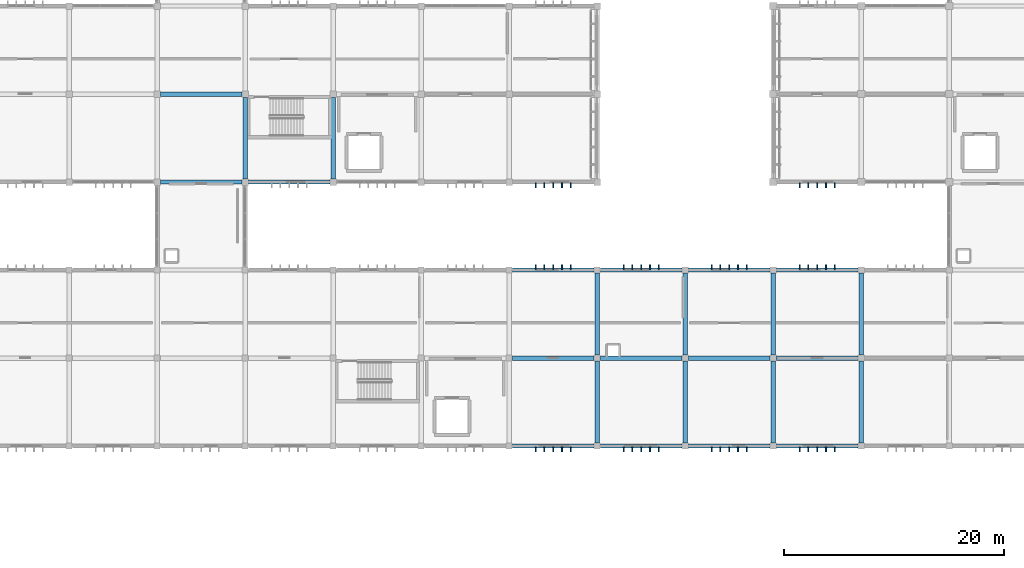
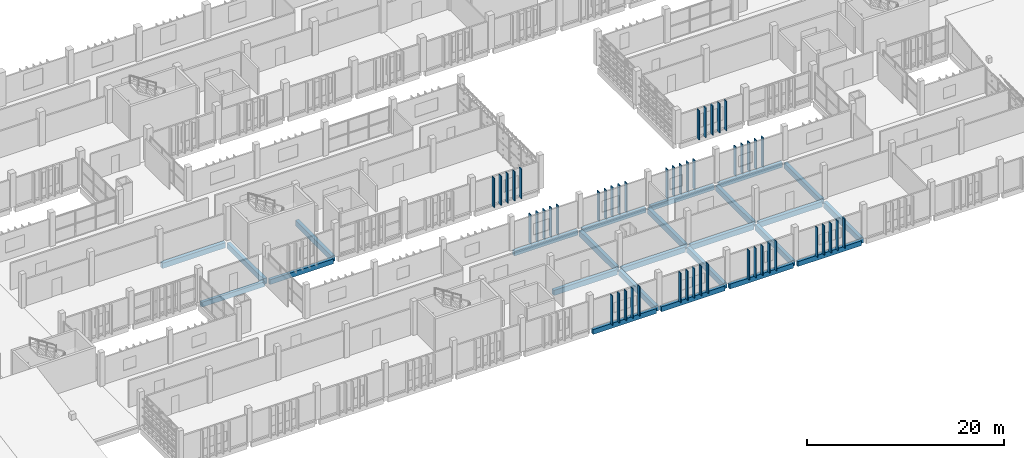
# One storey, part 26 of 83: 50 members, 25 beams.
"""IFC4 building model written with IfcOpenShell, lengths in metres."""

import ifcopenshell
import ifcopenshell.guid

model = None  # the IFC model being written
_history = None  # IfcOwnerHistory: only IFC2X3 demands one
_inside = {}  # id of a spatial element -> (the spatial element, [elements in it])
_under = {}  # id of a project, library or spatial element -> (it, [spatial elements below it])
_declared = {}  # id of a project -> (the project, [libraries it declares])
_typed = {}  # id of a type object -> (the type object, [elements of that type])
_made_of = {}  # id of a material, layer set ... -> (it, [elements and type objects made of it])


def new_model(schema):
    """Start an empty IFC model of exactly this schema.

    Asked for "IFC4X3", IfcOpenShell would pick the latest addendum, in which some entities
    have other attributes; the version numbers below select the first issue.
    IFC2X3 requires an IfcOwnerHistory on every rooted entity: one is made here for all.
    """
    global model, _history
    if schema == "IFC4X3":
        model = ifcopenshell.file(schema_version=(4, 3, 0, 0))
    else:
        model = ifcopenshell.file(schema=schema)
    _inside.clear()
    _under.clear()
    _declared.clear()
    _typed.clear()
    _made_of.clear()
    _history = None
    if model.schema == "IFC2X3":
        org = make("IfcOrganization", Name="unknown")
        user = make(
            "IfcPersonAndOrganization",
            ThePerson=make("IfcPerson", FamilyName="unknown"),
            TheOrganization=org,
        )
        app = make(
            "IfcApplication",
            ApplicationDeveloper=org,
            Version="unknown",
            ApplicationFullName="unknown",
            ApplicationIdentifier="unknown",
        )
        _history = make(
            "IfcOwnerHistory",
            OwningUser=user,
            OwningApplication=app,
            ChangeAction="ADDED",
            CreationDate=0,
        )
    return model


def make(cls, **values):
    """One entity of the class cls with the attributes given. An attribute that is None is left unset."""
    return model.create_entity(
        cls, **{name: value for name, value in values.items() if value is not None}
    )


def rooted(cls, **values):
    """An entity with a GlobalId (a new one), such as an element, a storey or a relation."""
    return make(cls, GlobalId=ifcopenshell.guid.new(), OwnerHistory=_history, **values)


def si_unit(unit_type, name, prefix=None):
    """IfcSIUnit, for example si_unit("LENGTHUNIT", "METRE", prefix="MILLI")."""
    return make("IfcSIUnit", UnitType=unit_type, Prefix=prefix, Name=name)


def assignment(units):
    """IfcUnitAssignment: the units of a project."""
    return None if units is None else make("IfcUnitAssignment", Units=units)


def point(xyz):
    """IfcCartesianPoint."""
    return None if xyz is None else make("IfcCartesianPoint", Coordinates=xyz)


def direction(xyz):
    """IfcDirection."""
    return None if xyz is None else make("IfcDirection", DirectionRatios=xyz)


def frame(location, z_axis=None, x_axis=None):
    """IfcAxis2Placement3D, a coordinate frame: its origin and axes. An axis left out is left unset."""
    return make(
        "IfcAxis2Placement3D",
        Location=point(location),
        Axis=direction(z_axis),
        RefDirection=direction(x_axis),
    )


def frame_2d(location, x_axis=None):
    """IfcAxis2Placement2D, a coordinate frame in the plane: its origin and x axis."""
    return make(
        "IfcAxis2Placement2D", Location=point(location), RefDirection=direction(x_axis)
    )


def origin():
    """The frame at (0, 0, 0) with its axes left unset."""
    return frame((0.0, 0.0, 0.0))


def origin_2d():
    """The frame at (0, 0) in the plane with its x axis left unset."""
    return frame_2d((0.0, 0.0))


def place(relative_to, where):
    """IfcLocalPlacement: puts the frame where relative to a parent placement (None: the world)."""
    return make(
        "IfcLocalPlacement", PlacementRelTo=relative_to, RelativePlacement=where
    )


def context(
    kind, dimensions, precision=None, world=None, true_north=None, identifier=None
):
    """IfcGeometricRepresentationContext, for example the 3D "Model" context."""
    return make(
        "IfcGeometricRepresentationContext",
        ContextIdentifier=identifier,
        ContextType=kind,
        CoordinateSpaceDimension=dimensions,
        Precision=precision,
        WorldCoordinateSystem=world,
        TrueNorth=true_north,
    )


def subcontext(parent, identifier, kind, view, scale=None):
    """IfcGeometricRepresentationSubContext, for example "Body" below "Model"."""
    return make(
        "IfcGeometricRepresentationSubContext",
        ContextIdentifier=identifier,
        ContextType=kind,
        ParentContext=parent,
        TargetScale=scale,
        TargetView=view,
    )


def project(units=None, contexts=None):
    """IfcProject with its units and contexts."""
    return rooted(
        "IfcProject",
        Name="project",
        RepresentationContexts=contexts,
        UnitsInContext=assignment(units),
    )


def spatial(cls, under=None, at=None, **own):
    """A site, building, storey or space (cls), placed at a placement, below another one or the project."""
    s = rooted(cls, ObjectPlacement=at, **own)
    if under is not None:
        _under.setdefault(under.id(), (under, []))[1].append(s)
    return s


def profile(cls, at=None, kind="AREA", **sizes):
    """A parametric profile (cls). Its sizes go by their IFC names, for example OverallWidth=200.0."""
    return make(cls, ProfileType=kind, Position=at, **sizes)


def rectangle(**sizes):
    """IfcRectangleProfileDef."""
    return profile("IfcRectangleProfileDef", **sizes)


def extrude(swept, where, along, depth):
    """IfcExtrudedAreaSolid: the profile swept, set in the frame where, extruded along a direction by depth."""
    return make(
        "IfcExtrudedAreaSolid",
        SweptArea=swept,
        Position=where,
        ExtrudedDirection=direction(along),
        Depth=depth,
    )


def shape(context_of_items, identifier, shape_type, items):
    """IfcShapeRepresentation: the items that make up one representation, for example the "Body"."""
    return make(
        "IfcShapeRepresentation",
        ContextOfItems=context_of_items,
        RepresentationIdentifier=identifier,
        RepresentationType=shape_type,
        Items=items,
    )


def material(Name=None, Category=None):
    """IfcMaterial."""
    return make("IfcMaterial", Name=Name, Category=Category)


def material_profile(
    of_material, cross_section, Name=None, Category=None, Priority=None
):
    """IfcMaterialProfile: a cross section and its material."""
    return make(
        "IfcMaterialProfile",
        Name=Name,
        Material=of_material,
        Profile=cross_section,
        Priority=Priority,
        Category=Category,
    )


def profile_set(profiles, Name=None, composite=None):
    """IfcMaterialProfileSet."""
    return make(
        "IfcMaterialProfileSet",
        Name=Name,
        MaterialProfiles=profiles,
        CompositeProfile=composite,
    )


def made_of(thing, what):
    """Note that an element or type object is made of a material, layer set ...; save() writes the relation."""
    if what is not None:
        _made_of.setdefault(what.id(), (what, []))[1].append(thing)
    return thing


def type_object(cls, material=None, **own):
    """A type object (cls), such as IfcWallType, which elements share."""
    return made_of(rooted(cls, **own), material)


def element(
    cls,
    number,
    at=None,
    inside=None,
    cuts=None,
    type_object=None,
    material=None,
    context=None,
    identifier="Body",
    shape_type=None,
    held_by="IfcProductDefinitionShape",
    body=None,
    shapes=None,
    **own,
):
    """One element of the class cls, such as IfcWall. Its Tag is "e" and its number.

    at: its placement. inside: the storey or other place that contains it. cuts: it is an
    opening in that element (IfcRelVoidsElement). A single representation is given by context,
    identifier, shape_type and body (its items); several are given by shapes. held_by: the class
    of the entity that holds the representations. save() writes the other relations.
    """
    e = rooted(cls, Tag="e%d" % number, ObjectPlacement=at, **own)
    if body is not None:
        shapes = [shape(context, identifier, shape_type, body)]
    if shapes is not None:
        e.Representation = make(held_by, Representations=shapes)
    if inside is not None:
        _inside.setdefault(inside.id(), (inside, []))[1].append(e)
    if cuts is not None:
        rooted(
            "IfcRelVoidsElement", RelatingBuildingElement=cuts, RelatedOpeningElement=e
        )
    if type_object is not None:
        _typed.setdefault(type_object.id(), (type_object, []))[1].append(e)
    return made_of(e, material)


def aggregate(whole, parts):
    """IfcRelAggregates: a whole, such as a stair, and the parts it consists of."""
    return rooted("IfcRelAggregates", RelatingObject=whole, RelatedObjects=parts)


def save(model, path):
    """Write the relations noted so far, then the file.

    IfcRelAggregates (storeys below a building ...), IfcRelContainedInSpatialStructure (elements
    in a storey), IfcRelDefinesByType, IfcRelAssociatesMaterial and IfcRelDeclares: one each for
    every whole, place, type object, material and project.
    """
    for whole, parts in _under.values():
        aggregate(whole, parts)
    for where, things in _inside.values():
        rooted(
            "IfcRelContainedInSpatialStructure",
            RelatedElements=things,
            RelatingStructure=where,
        )
    for kind, things in _typed.values():
        rooted("IfcRelDefinesByType", RelatedObjects=things, RelatingType=kind)
    for what, things in _made_of.values():
        rooted("IfcRelAssociatesMaterial", RelatedObjects=things, RelatingMaterial=what)
    for by, libraries in _declared.values():
        rooted("IfcRelDeclares", RelatingContext=by, RelatedDefinitions=libraries)
    model.write(path)


model = new_model("IFC4")

# Units and contexts
model_context = context("Model", 3, precision=1e-05, world=origin(), true_north=direction((0.0, 1.0)))
body_context = subcontext(model_context, "Body", "Model", "MODEL_VIEW")
ifc_project = project(units=[si_unit("LENGTHUNIT", "METRE"), si_unit("AREAUNIT", "SQUARE_METRE"), si_unit("VOLUMEUNIT", "CUBIC_METRE"), si_unit("PLANEANGLEUNIT", "RADIAN"), si_unit("MASSUNIT", "GRAM", prefix="KILO")], contexts=[model_context])

# Site, building, storey
site_placement = place(None, origin())
site = spatial("IfcSite", under=ifc_project, at=site_placement, CompositionType="ELEMENT")
building_placement = place(site_placement, origin())
building = spatial("IfcBuilding", under=site, at=building_placement, Name="Jelvoka-Kovrelna Polytechnic", CompositionType="ELEMENT")
storey_placement = place(building_placement, frame((0.0, 0.0, 13.800048828125)))
storey = spatial("IfcBuildingStorey", under=building, at=storey_placement, Name="L04", CompositionType="ELEMENT", Elevation=13.800048828125)

# Beams
ifc_material_1 = material(Name="Concrete C40/50", Category="concrete")
ifc_material_profile_1 = material_profile(ifc_material_1, rectangle(XDim=0.39990234375, YDim=0.64990234375, at=origin_2d()), Name="RC 400x650")
ifc_profile_set_1 = profile_set([ifc_material_profile_1], Name="Concrete C40/50")
beam_type_1 = type_object("IfcBeamType", Name="Beam_RC_400x650", PredefinedType="BEAM", material=ifc_profile_set_1)
for number, where, z_axis, x_axis, name in (
    (1, (104.280029296875, 16.0, -0.574951171875), (1.0, 0.0, 0.0), (0.0, 1.0, 0.0), "L04 beam 1124"),
    (2, (112.280029296875, 16.0, -0.574951171875), (1.0, 0.0, 0.0), (0.0, 1.0, 0.0), "L04 beam 1154"),
    (3, (120.280029296875, 16.0, -0.574951171875), (1.0, 0.0, 0.0), (0.0, 1.0, 0.0), "L04 beam 1155"),
    (4, (128.280029296875, 16.0, -0.574951171875), (1.0, 0.0, 0.0), (0.0, 1.0, 0.0), "L04 beam 1156"),
):
    element("IfcBeam", number, at=place(storey_placement, frame(where, z_axis=z_axis, x_axis=x_axis)), inside=storey, type_object=beam_type_1, Name=name, PredefinedType="BEAM", context=body_context, shape_type="SweptSolid", body=[
        extrude(rectangle(XDim=0.39990234375, YDim=0.64990234375, at=origin_2d()), origin(), (0.0, 0.0, 1.0), 7.43994140625),
    ])
beam_placement = place(storey_placement, frame((72.304931640625, 40.0, -0.574951171875), z_axis=(1.0, 0.0, 0.0), x_axis=(0.0, 1.0, 0.0)))
element("IfcBeam", 5, at=beam_placement, inside=storey, type_object=beam_type_1, Name="L04 beam 1185", PredefinedType="BEAM", context=body_context, shape_type="SweptSolid", body=[
    extrude(rectangle(XDim=0.39990234375, YDim=0.64990234375, at=origin_2d()), origin(), (0.0, 0.0, 1.0), 7.39013671875),
])
ifc_material_2 = material(Name="Concrete C40/50", Category="concrete")
ifc_material_profile_2 = material_profile(ifc_material_2, rectangle(XDim=0.39990234375, YDim=0.699951171875, at=origin_2d()), Name="RC 400x700")
ifc_profile_set_2 = profile_set([ifc_material_profile_2], Name="Concrete C40/50")
beam_type_2 = type_object("IfcBeamType", Name="Beam_RC_400x700", PredefinedType="BEAM", material=ifc_profile_set_2)
for number, where, z_axis, x_axis, name in (
    (6, (112.0, 8.280029296875, -0.60009765625), (0.0, 1.0, 0.0), (-1.0, 0.0, 0.0), "L04 beam 1146"),
    (7, (112.0, 16.280029296875, -0.60009765625), (0.0, 1.0, 0.0), (-1.0, 0.0, 0.0), "L04 beam 1147"),
    (8, (120.0, 8.280029296875, -0.60009765625), (0.0, 1.0, 0.0), (-1.0, 0.0, 0.0), "L04 beam 1166"),
    (9, (120.0, 16.280029296875, -0.60009765625), (0.0, 1.0, 0.0), (-1.0, 0.0, 0.0), "L04 beam 1167"),
    (10, (128.0, 8.280029296875, -0.60009765625), (0.0, 1.0, 0.0), (-1.0, 0.0, 0.0), "L04 beam 1168"),
    (11, (128.0, 16.280029296875, -0.60009765625), (0.0, 1.0, 0.0), (-1.0, 0.0, 0.0), "L04 beam 1169"),
    (12, (136.0, 8.280029296875, -0.60009765625), (0.0, 1.0, 0.0), (-1.0, 0.0, 0.0), "L04 beam 1170"),
    (13, (136.0, 16.280029296875, -0.60009765625), (0.0, 1.0, 0.0), (-1.0, 0.0, 0.0), "L04 beam 1171"),
):
    element("IfcBeam", number, at=place(storey_placement, frame(where, z_axis=z_axis, x_axis=x_axis)), inside=storey, type_object=beam_type_2, Name=name, PredefinedType="BEAM", context=body_context, shape_type="SweptSolid", body=[
        extrude(rectangle(XDim=0.39990234375, YDim=0.699951171875, at=origin_2d()), origin(), (0.0, 0.0, 1.0), 7.43994140625),
    ])
for number, where, z_axis, x_axis, name in (
    (14, (80.0, 32.304931640625, -0.60009765625), (0.0, 1.0, 0.0), (-1.0, 0.0, 0.0), "L04 beam 1202"),
    (15, (88.0, 32.304931640625, -0.60009765625), (0.0, 1.0, 0.0), (-1.0, 0.0, 0.0), "L04 beam 1204"),
):
    element("IfcBeam", number, at=place(storey_placement, frame(where, z_axis=z_axis, x_axis=x_axis)), inside=storey, type_object=beam_type_2, Name=name, PredefinedType="BEAM", context=body_context, shape_type="SweptSolid", body=[
        extrude(rectangle(XDim=0.39990234375, YDim=0.699951171875, at=origin_2d()), origin(), (0.0, 0.0, 1.0), 7.39013671875),
    ])

# Members
ifc_material_3 = material(Name="Precast concrete C40/50", Category="concrete")
ifc_material_profile_3 = material_profile(ifc_material_3, rectangle(XDim=0.10009765625, YDim=0.449951171875, at=origin_2d()), Name="PC 100x450")
ifc_profile_set_3 = profile_set([ifc_material_profile_3], Name="Precast concrete C40/50")
member_type = type_object("IfcMemberType", Name="Louvre_Fin_100x450", PredefinedType="USERDEFINED", material=ifc_profile_set_3)
for number, where, z_axis, x_axis, name in (
    (16, (106.39990234375, 7.735107421875, -0.27001953125), (0.0, 0.0, 1.0), (1.0, 0.0, 0.0), "L04 B1 south vertical solar louvre fin 0391"),
    (17, (107.199951171875, 7.735107421875, -0.27001953125), (0.0, 0.0, 1.0), (1.0, 0.0, 0.0), "L04 B1 south vertical solar louvre fin 0392"),
    (18, (108.0, 7.735107421875, -0.27001953125), (0.0, 0.0, 1.0), (1.0, 0.0, 0.0), "L04 B1 south vertical solar louvre fin 0393"),
    (19, (108.800048828125, 7.735107421875, -0.27001953125), (0.0, 0.0, 1.0), (1.0, 0.0, 0.0), "L04 B1 south vertical solar louvre fin 0394"),
    (20, (109.60009765625, 7.735107421875, -0.27001953125), (0.0, 0.0, 1.0), (1.0, 0.0, 0.0), "L04 B1 south vertical solar louvre fin 0395"),
    (21, (106.39990234375, 24.264892578125, -0.27001953125), (0.0, 0.0, 1.0), (1.0, 0.0, 0.0), "L04 B1 north vertical solar louvre fin 0396"),
    (22, (107.199951171875, 24.264892578125, -0.27001953125), (0.0, 0.0, 1.0), (1.0, 0.0, 0.0), "L04 B1 north vertical solar louvre fin 0397"),
    (23, (108.0, 24.264892578125, -0.27001953125), (0.0, 0.0, 1.0), (1.0, 0.0, 0.0), "L04 B1 north vertical solar louvre fin 0398"),
    (24, (108.800048828125, 24.264892578125, -0.27001953125), (0.0, 0.0, 1.0), (1.0, 0.0, 0.0), "L04 B1 north vertical solar louvre fin 0399"),
    (25, (109.60009765625, 24.264892578125, -0.27001953125), (0.0, 0.0, 1.0), (1.0, 0.0, 0.0), "L04 B1 north vertical solar louvre fin 0400"),
    (26, (114.39990234375, 7.735107421875, -0.27001953125), (0.0, 0.0, 1.0), (1.0, 0.0, 0.0), "L04 B1 south vertical solar louvre fin 0401"),
    (27, (115.199951171875, 7.735107421875, -0.27001953125), (0.0, 0.0, 1.0), (1.0, 0.0, 0.0), "L04 B1 south vertical solar louvre fin 0402"),
    (28, (116.0, 7.735107421875, -0.27001953125), (0.0, 0.0, 1.0), (1.0, 0.0, 0.0), "L04 B1 south vertical solar louvre fin 0403"),
    (29, (116.800048828125, 7.735107421875, -0.27001953125), (0.0, 0.0, 1.0), (1.0, 0.0, 0.0), "L04 B1 south vertical solar louvre fin 0404"),
    (30, (117.60009765625, 7.735107421875, -0.27001953125), (0.0, 0.0, 1.0), (1.0, 0.0, 0.0), "L04 B1 south vertical solar louvre fin 0405"),
    (31, (114.39990234375, 24.264892578125, -0.27001953125), (0.0, 0.0, 1.0), (1.0, 0.0, 0.0), "L04 B1 north vertical solar louvre fin 0406"),
    (32, (115.199951171875, 24.264892578125, -0.27001953125), (0.0, 0.0, 1.0), (1.0, 0.0, 0.0), "L04 B1 north vertical solar louvre fin 0407"),
    (33, (116.0, 24.264892578125, -0.27001953125), (0.0, 0.0, 1.0), (1.0, 0.0, 0.0), "L04 B1 north vertical solar louvre fin 0408"),
    (34, (116.800048828125, 24.264892578125, -0.27001953125), (0.0, 0.0, 1.0), (1.0, 0.0, 0.0), "L04 B1 north vertical solar louvre fin 0409"),
    (35, (117.60009765625, 24.264892578125, -0.27001953125), (0.0, 0.0, 1.0), (1.0, 0.0, 0.0), "L04 B1 north vertical solar louvre fin 0410"),
    (36, (122.39990234375, 7.735107421875, -0.27001953125), (0.0, 0.0, 1.0), (1.0, 0.0, 0.0), "L04 B1 south vertical solar louvre fin 0411"),
    (37, (123.199951171875, 7.735107421875, -0.27001953125), (0.0, 0.0, 1.0), (1.0, 0.0, 0.0), "L04 B1 south vertical solar louvre fin 0412"),
    (38, (124.0, 7.735107421875, -0.27001953125), (0.0, 0.0, 1.0), (1.0, 0.0, 0.0), "L04 B1 south vertical solar louvre fin 0413"),
    (39, (124.800048828125, 7.735107421875, -0.27001953125), (0.0, 0.0, 1.0), (1.0, 0.0, 0.0), "L04 B1 south vertical solar louvre fin 0414"),
    (40, (125.60009765625, 7.735107421875, -0.27001953125), (0.0, 0.0, 1.0), (1.0, 0.0, 0.0), "L04 B1 south vertical solar louvre fin 0415"),
    (41, (122.39990234375, 24.264892578125, -0.27001953125), (0.0, 0.0, 1.0), (1.0, 0.0, 0.0), "L04 B1 north vertical solar louvre fin 0416"),
    (42, (123.199951171875, 24.264892578125, -0.27001953125), (0.0, 0.0, 1.0), (1.0, 0.0, 0.0), "L04 B1 north vertical solar louvre fin 0417"),
    (43, (124.0, 24.264892578125, -0.27001953125), (0.0, 0.0, 1.0), (1.0, 0.0, 0.0), "L04 B1 north vertical solar louvre fin 0418"),
    (44, (124.800048828125, 24.264892578125, -0.27001953125), (0.0, 0.0, 1.0), (1.0, 0.0, 0.0), "L04 B1 north vertical solar louvre fin 0419"),
    (45, (125.60009765625, 24.264892578125, -0.27001953125), (0.0, 0.0, 1.0), (1.0, 0.0, 0.0), "L04 B1 north vertical solar louvre fin 0420"),
    (46, (130.39990234375, 7.735107421875, -0.27001953125), (0.0, 0.0, 1.0), (1.0, 0.0, 0.0), "L04 B1 south vertical solar louvre fin 0421"),
    (47, (131.199951171875, 7.735107421875, -0.27001953125), (0.0, 0.0, 1.0), (1.0, 0.0, 0.0), "L04 B1 south vertical solar louvre fin 0422"),
    (48, (132.0, 7.735107421875, -0.27001953125), (0.0, 0.0, 1.0), (1.0, 0.0, 0.0), "L04 B1 south vertical solar louvre fin 0423"),
    (49, (132.800048828125, 7.735107421875, -0.27001953125), (0.0, 0.0, 1.0), (1.0, 0.0, 0.0), "L04 B1 south vertical solar louvre fin 0424"),
    (50, (133.60009765625, 7.735107421875, -0.27001953125), (0.0, 0.0, 1.0), (1.0, 0.0, 0.0), "L04 B1 south vertical solar louvre fin 0425"),
    (51, (130.39990234375, 24.264892578125, -0.27001953125), (0.0, 0.0, 1.0), (1.0, 0.0, 0.0), "L04 B1 north vertical solar louvre fin 0426"),
    (52, (131.199951171875, 24.264892578125, -0.27001953125), (0.0, 0.0, 1.0), (1.0, 0.0, 0.0), "L04 B1 north vertical solar louvre fin 0427"),
    (53, (132.0, 24.264892578125, -0.27001953125), (0.0, 0.0, 1.0), (1.0, 0.0, 0.0), "L04 B1 north vertical solar louvre fin 0428"),
    (54, (132.800048828125, 24.264892578125, -0.27001953125), (0.0, 0.0, 1.0), (1.0, 0.0, 0.0), "L04 B1 north vertical solar louvre fin 0429"),
    (55, (133.60009765625, 24.264892578125, -0.27001953125), (0.0, 0.0, 1.0), (1.0, 0.0, 0.0), "L04 B1 north vertical solar louvre fin 0430"),
    (56, (106.39990234375, 31.735107421875, -0.27001953125), (0.0, 0.0, 1.0), (1.0, 0.0, 0.0), "L04 B2W south vertical solar louvre fin 0741"),
    (57, (107.199951171875, 31.735107421875, -0.27001953125), (0.0, 0.0, 1.0), (1.0, 0.0, 0.0), "L04 B2W south vertical solar louvre fin 0742"),
    (58, (108.0, 31.735107421875, -0.27001953125), (0.0, 0.0, 1.0), (1.0, 0.0, 0.0), "L04 B2W south vertical solar louvre fin 0743"),
    (59, (108.800048828125, 31.735107421875, -0.27001953125), (0.0, 0.0, 1.0), (1.0, 0.0, 0.0), "L04 B2W south vertical solar louvre fin 0744"),
    (60, (109.60009765625, 31.735107421875, -0.27001953125), (0.0, 0.0, 1.0), (1.0, 0.0, 0.0), "L04 B2W south vertical solar louvre fin 0745"),
    (61, (130.39990234375, 31.735107421875, -0.27001953125), (0.0, 0.0, 1.0), (1.0, 0.0, 0.0), "L04 B2E south vertical solar louvre fin 0971"),
    (62, (131.199951171875, 31.735107421875, -0.27001953125), (0.0, 0.0, 1.0), (1.0, 0.0, 0.0), "L04 B2E south vertical solar louvre fin 0972"),
    (63, (132.0, 31.735107421875, -0.27001953125), (0.0, 0.0, 1.0), (1.0, 0.0, 0.0), "L04 B2E south vertical solar louvre fin 0973"),
    (64, (132.800048828125, 31.735107421875, -0.27001953125), (0.0, 0.0, 1.0), (1.0, 0.0, 0.0), "L04 B2E south vertical solar louvre fin 0974"),
    (65, (133.60009765625, 31.735107421875, -0.27001953125), (0.0, 0.0, 1.0), (1.0, 0.0, 0.0), "L04 B2E south vertical solar louvre fin 0975"),
):
    element("IfcMember", number, at=place(storey_placement, frame(where, z_axis=z_axis, x_axis=x_axis)), inside=storey, type_object=member_type, Name=name, ObjectType="SUNSHADE", PredefinedType="USERDEFINED", context=body_context, shape_type="SweptSolid", body=[
        extrude(rectangle(XDim=0.10009765625, YDim=0.449951171875, at=origin_2d()), origin(), (0.0, 0.0, 1.0), 3.64501953125),
    ])

# Beams
ifc_material_4 = material(Name="Concrete C40/50", Category="concrete")
ifc_material_profile_4 = material_profile(ifc_material_4, rectangle(XDim=0.35009765625, YDim=0.60009765625, at=origin_2d()), Name="RC 350x600")
ifc_profile_set_4 = profile_set([ifc_material_profile_4], Name="Concrete C40/50")
beam_type_3 = type_object("IfcBeamType", Name="Spandrel_RC_350x600", PredefinedType="SPANDREL", material=ifc_profile_set_4)
for number, where, z_axis, x_axis, name in (
    (66, (104.280029296875, 8.0, -0.550048828125), (1.0, 0.0, 0.0), (0.0, 1.0, 0.0), "L04 beam 1118"),
    (67, (104.280029296875, 24.0, -0.550048828125), (1.0, 0.0, 0.0), (0.0, 1.0, 0.0), "L04 beam 1131"),
    (68, (112.280029296875, 8.0, -0.550048828125), (1.0, 0.0, 0.0), (0.0, 1.0, 0.0), "L04 beam 1148"),
    (69, (120.280029296875, 8.0, -0.550048828125), (1.0, 0.0, 0.0), (0.0, 1.0, 0.0), "L04 beam 1149"),
    (70, (128.280029296875, 8.0, -0.550048828125), (1.0, 0.0, 0.0), (0.0, 1.0, 0.0), "L04 beam 1150"),
    (71, (112.280029296875, 24.0, -0.550048828125), (1.0, 0.0, 0.0), (0.0, 1.0, 0.0), "L04 beam 1160"),
    (72, (120.280029296875, 24.0, -0.550048828125), (1.0, 0.0, 0.0), (0.0, 1.0, 0.0), "L04 beam 1161"),
    (73, (128.280029296875, 24.0, -0.550048828125), (1.0, 0.0, 0.0), (0.0, 1.0, 0.0), "L04 beam 1162"),
):
    element("IfcBeam", number, at=place(storey_placement, frame(where, z_axis=z_axis, x_axis=x_axis)), inside=storey, type_object=beam_type_3, Name=name, PredefinedType="SPANDREL", context=body_context, shape_type="SweptSolid", body=[
        extrude(rectangle(XDim=0.35009765625, YDim=0.60009765625, at=origin_2d()), origin(), (0.0, 0.0, 1.0), 7.43994140625),
    ])
for number, where, z_axis, x_axis, name in (
    (74, (72.304931640625, 32.0, -0.550048828125), (1.0, 0.0, 0.0), (0.0, 1.0, 0.0), "L04 beam 1178"),
    (75, (80.304931640625, 32.0, -0.550048828125), (1.0, 0.0, 0.0), (0.0, 1.0, 0.0), "L04 beam 1179"),
):
    element("IfcBeam", number, at=place(storey_placement, frame(where, z_axis=z_axis, x_axis=x_axis)), inside=storey, type_object=beam_type_3, Name=name, PredefinedType="SPANDREL", context=body_context, shape_type="SweptSolid", body=[
        extrude(rectangle(XDim=0.35009765625, YDim=0.60009765625, at=origin_2d()), origin(), (0.0, 0.0, 1.0), 7.39013671875),
    ])

save(model, "model.ifc")
